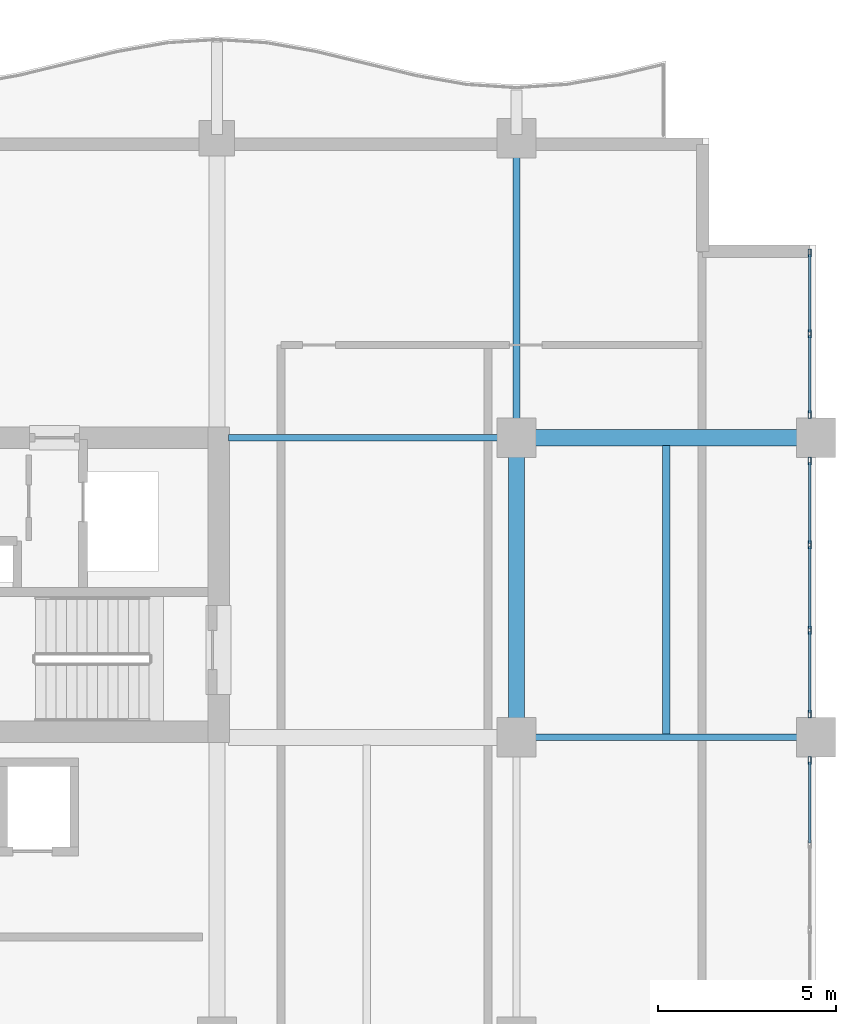
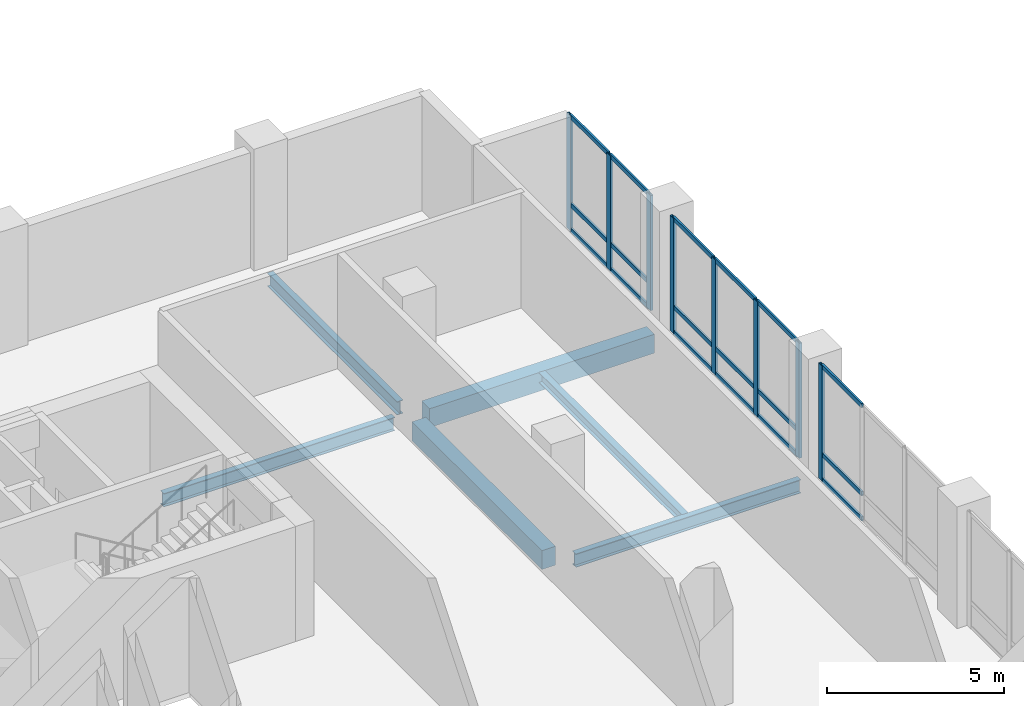
# One storey, part 4 of 22: 26 members, 6 beams, 3 elements without a shape of their own.
"""IFC4 building model written with IfcOpenShell, lengths in metres."""

from ifc_helpers import new_model, si_unit, direction, frame, origin, origin_2d, place, context, subcontext, project, spatial, rectangle, hollow_rectangle, i_section, extrude, material, layer, layer_set, material_profile, profile_set, type_object, element, aggregate, save


model = new_model("IFC4")

# Units and contexts
model_context = context("Model", 3, precision=1e-05, world=origin(), true_north=direction((0.0, 1.0)))
body_context = subcontext(model_context, "Body", "Model", "MODEL_VIEW")
ifc_project = project(units=[si_unit("LENGTHUNIT", "METRE"), si_unit("AREAUNIT", "SQUARE_METRE"), si_unit("VOLUMEUNIT", "CUBIC_METRE"), si_unit("PLANEANGLEUNIT", "RADIAN"), si_unit("MASSUNIT", "GRAM", prefix="KILO")], contexts=[model_context])

# Site, building, storey
site_placement = place(None, origin())
site = spatial("IfcSite", under=ifc_project, at=site_placement, CompositionType="ELEMENT")
building_placement = place(site_placement, origin())
building = spatial("IfcBuilding", under=site, at=building_placement, Name="Koriwani Terraces Tower", CompositionType="ELEMENT")
storey_placement = place(building_placement, frame((0.0, 0.0, 219.800048828125)))
storey = spatial("IfcBuildingStorey", under=building, at=storey_placement, Name="L54", CompositionType="ELEMENT", Elevation=219.800048828125)

# Beams
ifc_material_1 = material(Name="Concrete C50/60", Category="concrete")
ifc_material_profile_1 = material_profile(ifc_material_1, rectangle(XDim=0.449951171875, YDim=0.64990234375, at=origin_2d()), Name="Concrete C50/60", Category="LoadBearing")
ifc_profile_set_1 = profile_set([ifc_material_profile_1], Name="Concrete C50/60")
beam_type_1 = type_object("IfcBeamType", Name="BEAM_RC_GRID_450X650", PredefinedType="BEAM", material=ifc_profile_set_1)
beam_1_placement = place(storey_placement, frame((67.72998046875, 25.199951171875, -0.554931640625), z_axis=(1.0, 0.0, 0.0), x_axis=(0.0, 1.0, 0.0)))
element("IfcBeam", 1, at=beam_1_placement, inside=storey, type_object=beam_type_1, Name="L54 Grid Beam D (67.2-75.6m)", PredefinedType="BEAM", context=body_context, shape_type="SweptSolid", body=[
    extrude(rectangle(XDim=0.449951171875, YDim=0.64990234375, at=origin_2d()), origin(), (0.0, 0.0, 1.0), 7.340087890625),
])
beam_2_placement = place(storey_placement, frame((67.199951171875, 17.330078125, -0.554931640625), z_axis=(0.0, 1.0, 0.0), x_axis=(-1.0, 0.0, 0.0)))
element("IfcBeam", 2, at=beam_2_placement, inside=storey, type_object=beam_type_1, Name="L54 Grid Beam 9 (16.8-25.2m)", PredefinedType="BEAM", context=body_context, shape_type="SweptSolid", body=[
    extrude(rectangle(XDim=0.449951171875, YDim=0.64990234375, at=origin_2d()), origin(), (0.0, 0.0, 1.0), 7.33984375),
])

# Curtain wall, members
ifc_material_2 = material(Name="Anodised Bronze Aluminium", Category="aluminium")
ifc_layer = layer(ifc_material_2, 0.219970703125, Name="Anodised Bronze Aluminium")
ifc_layer_set = layer_set([ifc_layer], Name="Anodised Bronze Aluminium")
curtain_wall_type = type_object("IfcCurtainWallType", Name="CW_SKY_LOUNGE", PredefinedType="NOTDEFINED", material=ifc_layer_set)
curtain_wall_1_placement = place(storey_placement, origin())
curtain_wall_1 = element("IfcCurtainWall", 3, at=curtain_wall_1_placement, inside=storey, type_object=curtain_wall_type, Name="L54 Unitised Curtain Wall (E_TIP) Bay 1", PredefinedType="NOTDEFINED")
ifc_material_profile_2 = material_profile(ifc_material_2, hollow_rectangle(XDim=0.0849609375, YDim=0.219970703125, WallThickness=0.008056640625, at=origin_2d()), Name="Anodised Bronze Aluminium", Category="LoadBearing")
ifc_profile_set_2 = profile_set([ifc_material_profile_2], Name="Anodised Bronze Aluminium")
member_type_1 = type_object("IfcMemberType", Name="CW_MULLION_220X85", PredefinedType="MULLION", material=ifc_profile_set_2)
member_1_placement = place(storey_placement, frame((75.425048828125, 30.382568359375, 0.0), z_axis=(0.0, 0.0, 1.0), x_axis=(1.0, 0.0, 0.0)))
member_1 = element("IfcMember", 4, at=member_1_placement, type_object=member_type_1, Name="CW-SKY mullion 1", PredefinedType="MULLION", context=body_context, shape_type="SweptSolid", body=[
    extrude(hollow_rectangle(XDim=0.0849609375, YDim=0.219970703125, WallThickness=0.008056640625, at=origin_2d()), origin(), (0.0, 0.0, 1.0), 3.969970703125),
])
member_2_placement = place(storey_placement, frame((75.425048828125, 28.117431640625, 0.0), z_axis=(0.0, 0.0, 1.0), x_axis=(1.0, 0.0, 0.0)))
member_2 = element("IfcMember", 5, at=member_2_placement, type_object=member_type_1, Name="CW-SKY mullion 2", PredefinedType="MULLION", context=body_context, shape_type="SweptSolid", body=[
    extrude(hollow_rectangle(XDim=0.0849609375, YDim=0.219970703125, WallThickness=0.008056640625, at=origin_2d()), origin(), (0.0, 0.0, 1.0), 3.969970703125),
])
member_3_placement = place(storey_placement, frame((75.425048828125, 25.8525390625, 0.0), z_axis=(0.0, 0.0, 1.0), x_axis=(1.0, 0.0, 0.0)))
member_3 = element("IfcMember", 6, at=member_3_placement, type_object=member_type_1, Name="CW-SKY mullion 3", PredefinedType="MULLION", context=body_context, shape_type="SweptSolid", body=[
    extrude(hollow_rectangle(XDim=0.0849609375, YDim=0.219970703125, WallThickness=0.008056640625, at=origin_2d()), origin(), (0.0, 0.0, 1.0), 3.969970703125),
])

curtain_wall_2_placement = place(storey_placement, origin())
curtain_wall_2 = element("IfcCurtainWall", 7, at=curtain_wall_2_placement, inside=storey, type_object=curtain_wall_type, Name="L54 Unitised Curtain Wall (E_TIP) Bay 2", PredefinedType="NOTDEFINED")
member_4_placement = place(storey_placement, frame((75.425048828125, 24.547607421875, 0.0), z_axis=(0.0, 0.0, 1.0), x_axis=(1.0, 0.0, 0.0)))
member_4 = element("IfcMember", 8, at=member_4_placement, type_object=member_type_1, Name="CW-SKY mullion 1", PredefinedType="MULLION", context=body_context, shape_type="SweptSolid", body=[
    extrude(hollow_rectangle(XDim=0.0849609375, YDim=0.219970703125, WallThickness=0.008056640625, at=origin_2d()), origin(), (0.0, 0.0, 1.0), 3.969970703125),
])
member_5_placement = place(storey_placement, frame((75.425048828125, 22.19677734375, 0.0), z_axis=(0.0, 0.0, 1.0), x_axis=(1.0, 0.0, 0.0)))
member_5 = element("IfcMember", 9, at=member_5_placement, type_object=member_type_1, Name="CW-SKY mullion 2", PredefinedType="MULLION", context=body_context, shape_type="SweptSolid", body=[
    extrude(hollow_rectangle(XDim=0.0849609375, YDim=0.219970703125, WallThickness=0.008056640625, at=origin_2d()), origin(), (0.0, 0.0, 1.0), 3.969970703125),
])
member_6_placement = place(storey_placement, frame((75.425048828125, 19.80322265625, 0.0), z_axis=(0.0, 0.0, 1.0), x_axis=(1.0, 0.0, 0.0)))
member_6 = element("IfcMember", 10, at=member_6_placement, type_object=member_type_1, Name="CW-SKY mullion 3", PredefinedType="MULLION", context=body_context, shape_type="SweptSolid", body=[
    extrude(hollow_rectangle(XDim=0.0849609375, YDim=0.219970703125, WallThickness=0.008056640625, at=origin_2d()), origin(), (0.0, 0.0, 1.0), 3.969970703125),
])
member_7_placement = place(storey_placement, frame((75.425048828125, 17.452392578125, 0.0), z_axis=(0.0, 0.0, 1.0), x_axis=(1.0, 0.0, 0.0)))
member_7 = element("IfcMember", 11, at=member_7_placement, type_object=member_type_1, Name="CW-SKY mullion 4", PredefinedType="MULLION", context=body_context, shape_type="SweptSolid", body=[
    extrude(hollow_rectangle(XDim=0.0849609375, YDim=0.219970703125, WallThickness=0.008056640625, at=origin_2d()), origin(), (0.0, 0.0, 1.0), 3.969970703125),
])

# Curtain wall, member
curtain_wall_3_placement = place(storey_placement, origin())
curtain_wall_3 = element("IfcCurtainWall", 12, at=curtain_wall_3_placement, inside=storey, type_object=curtain_wall_type, Name="L54 Unitised Curtain Wall (E_TIP) Bay 3", PredefinedType="NOTDEFINED")
member_8_placement = place(storey_placement, frame((75.425048828125, 16.1474609375, 0.0), z_axis=(0.0, 0.0, 1.0), x_axis=(1.0, 0.0, 0.0)))
member_8 = element("IfcMember", 13, at=member_8_placement, type_object=member_type_1, Name="CW-SKY mullion 1", PredefinedType="MULLION", context=body_context, shape_type="SweptSolid", body=[
    extrude(hollow_rectangle(XDim=0.0849609375, YDim=0.219970703125, WallThickness=0.008056640625, at=origin_2d()), origin(), (0.0, 0.0, 1.0), 3.969970703125),
])

# Member
ifc_material_profile_3 = material_profile(ifc_material_2, hollow_rectangle(XDim=0.06494140625, YDim=0.14990234375, WallThickness=0.0048828125, at=origin_2d()), Name="Anodised Bronze Aluminium", Category="LoadBearing")
ifc_profile_set_3 = profile_set([ifc_material_profile_3], Name="Anodised Bronze Aluminium")
member_type_2 = type_object("IfcMemberType", Name="CW_TRANSOM_150X65", PredefinedType="USERDEFINED", material=ifc_profile_set_3)
member_9_placement = place(storey_placement, frame((75.425048828125, 30.340087890625, 0.032470703125), z_axis=(0.0, -1.0, 0.0), x_axis=(1.0, 0.0, 0.0)))
member_9 = element("IfcMember", 14, at=member_9_placement, type_object=member_type_2, Name="CW-SKY transom 1.1", ObjectType="TRANSOM", PredefinedType="USERDEFINED", context=body_context, shape_type="SweptSolid", body=[
    extrude(hollow_rectangle(XDim=0.06494140625, YDim=0.14990234375, WallThickness=0.0048828125, at=origin_2d()), origin(), (0.0, 0.0, 1.0), 2.18017578125),
])

member_10_placement = place(storey_placement, frame((75.425048828125, 30.340087890625, 0.89990234375), z_axis=(0.0, -1.0, 0.0), x_axis=(1.0, 0.0, 0.0)))
member_10 = element("IfcMember", 15, at=member_10_placement, type_object=member_type_2, Name="CW-SKY transom 1.2", ObjectType="TRANSOM", PredefinedType="USERDEFINED", context=body_context, shape_type="SweptSolid", body=[
    extrude(hollow_rectangle(XDim=0.06494140625, YDim=0.14990234375, WallThickness=0.0048828125, at=origin_2d()), origin(), (0.0, 0.0, 1.0), 2.18017578125),
])

member_11_placement = place(storey_placement, frame((75.425048828125, 30.340087890625, 3.9375), z_axis=(0.0, -1.0, 0.0), x_axis=(1.0, 0.0, 0.0)))
member_11 = element("IfcMember", 16, at=member_11_placement, type_object=member_type_2, Name="CW-SKY transom 1.3", ObjectType="TRANSOM", PredefinedType="USERDEFINED", context=body_context, shape_type="SweptSolid", body=[
    extrude(hollow_rectangle(XDim=0.06494140625, YDim=0.14990234375, WallThickness=0.0048828125, at=origin_2d()), origin(), (0.0, 0.0, 1.0), 2.18017578125),
])

member_12_placement = place(storey_placement, frame((75.425048828125, 28.074951171875, 0.032470703125), z_axis=(0.0, -1.0, 0.0), x_axis=(1.0, 0.0, 0.0)))
member_12 = element("IfcMember", 17, at=member_12_placement, type_object=member_type_2, Name="CW-SKY transom 2.1", ObjectType="TRANSOM", PredefinedType="USERDEFINED", context=body_context, shape_type="SweptSolid", body=[
    extrude(hollow_rectangle(XDim=0.06494140625, YDim=0.14990234375, WallThickness=0.0048828125, at=origin_2d()), origin(), (0.0, 0.0, 1.0), 2.179931640625),
])

member_13_placement = place(storey_placement, frame((75.425048828125, 28.074951171875, 0.89990234375), z_axis=(0.0, -1.0, 0.0), x_axis=(1.0, 0.0, 0.0)))
member_13 = element("IfcMember", 18, at=member_13_placement, type_object=member_type_2, Name="CW-SKY transom 2.2", ObjectType="TRANSOM", PredefinedType="USERDEFINED", context=body_context, shape_type="SweptSolid", body=[
    extrude(hollow_rectangle(XDim=0.06494140625, YDim=0.14990234375, WallThickness=0.0048828125, at=origin_2d()), origin(), (0.0, 0.0, 1.0), 2.179931640625),
])

member_14_placement = place(storey_placement, frame((75.425048828125, 28.074951171875, 3.9375), z_axis=(0.0, -1.0, 0.0), x_axis=(1.0, 0.0, 0.0)))
member_14 = element("IfcMember", 19, at=member_14_placement, type_object=member_type_2, Name="CW-SKY transom 2.3", ObjectType="TRANSOM", PredefinedType="USERDEFINED", context=body_context, shape_type="SweptSolid", body=[
    extrude(hollow_rectangle(XDim=0.06494140625, YDim=0.14990234375, WallThickness=0.0048828125, at=origin_2d()), origin(), (0.0, 0.0, 1.0), 2.179931640625),
])

aggregate(curtain_wall_1, [member_1, member_2, member_3, member_9, member_10, member_11, member_12, member_13, member_14])

member_15_placement = place(storey_placement, frame((75.425048828125, 24.5048828125, 0.032470703125), z_axis=(0.0, -1.0, 0.0), x_axis=(1.0, 0.0, 0.0)))
member_15 = element("IfcMember", 20, at=member_15_placement, type_object=member_type_2, Name="CW-SKY transom 1.1", ObjectType="TRANSOM", PredefinedType="USERDEFINED", context=body_context, shape_type="SweptSolid", body=[
    extrude(hollow_rectangle(XDim=0.06494140625, YDim=0.14990234375, WallThickness=0.0048828125, at=origin_2d()), origin(), (0.0, 0.0, 1.0), 2.265625),
])

member_16_placement = place(storey_placement, frame((75.425048828125, 24.5048828125, 0.89990234375), z_axis=(0.0, -1.0, 0.0), x_axis=(1.0, 0.0, 0.0)))
member_16 = element("IfcMember", 21, at=member_16_placement, type_object=member_type_2, Name="CW-SKY transom 1.2", ObjectType="TRANSOM", PredefinedType="USERDEFINED", context=body_context, shape_type="SweptSolid", body=[
    extrude(hollow_rectangle(XDim=0.06494140625, YDim=0.14990234375, WallThickness=0.0048828125, at=origin_2d()), origin(), (0.0, 0.0, 1.0), 2.265625),
])

member_17_placement = place(storey_placement, frame((75.425048828125, 24.5048828125, 3.9375), z_axis=(0.0, -1.0, 0.0), x_axis=(1.0, 0.0, 0.0)))
member_17 = element("IfcMember", 22, at=member_17_placement, type_object=member_type_2, Name="CW-SKY transom 1.3", ObjectType="TRANSOM", PredefinedType="USERDEFINED", context=body_context, shape_type="SweptSolid", body=[
    extrude(hollow_rectangle(XDim=0.06494140625, YDim=0.14990234375, WallThickness=0.0048828125, at=origin_2d()), origin(), (0.0, 0.0, 1.0), 2.265625),
])

member_18_placement = place(storey_placement, frame((75.425048828125, 22.154052734375, 0.032470703125), z_axis=(0.0, -1.0, 0.0), x_axis=(1.0, 0.0, 0.0)))
member_18 = element("IfcMember", 23, at=member_18_placement, type_object=member_type_2, Name="CW-SKY transom 2.1", ObjectType="TRANSOM", PredefinedType="USERDEFINED", context=body_context, shape_type="SweptSolid", body=[
    extrude(hollow_rectangle(XDim=0.06494140625, YDim=0.14990234375, WallThickness=0.0048828125, at=origin_2d()), origin(), (0.0, 0.0, 1.0), 2.30810546875),
])

member_19_placement = place(storey_placement, frame((75.425048828125, 22.154052734375, 0.89990234375), z_axis=(0.0, -1.0, 0.0), x_axis=(1.0, 0.0, 0.0)))
member_19 = element("IfcMember", 24, at=member_19_placement, type_object=member_type_2, Name="CW-SKY transom 2.2", ObjectType="TRANSOM", PredefinedType="USERDEFINED", context=body_context, shape_type="SweptSolid", body=[
    extrude(hollow_rectangle(XDim=0.06494140625, YDim=0.14990234375, WallThickness=0.0048828125, at=origin_2d()), origin(), (0.0, 0.0, 1.0), 2.30810546875),
])

member_20_placement = place(storey_placement, frame((75.425048828125, 22.154052734375, 3.9375), z_axis=(0.0, -1.0, 0.0), x_axis=(1.0, 0.0, 0.0)))
member_20 = element("IfcMember", 25, at=member_20_placement, type_object=member_type_2, Name="CW-SKY transom 2.3", ObjectType="TRANSOM", PredefinedType="USERDEFINED", context=body_context, shape_type="SweptSolid", body=[
    extrude(hollow_rectangle(XDim=0.06494140625, YDim=0.14990234375, WallThickness=0.0048828125, at=origin_2d()), origin(), (0.0, 0.0, 1.0), 2.30810546875),
])

member_21_placement = place(storey_placement, frame((75.425048828125, 19.7607421875, 0.032470703125), z_axis=(0.0, -1.0, 0.0), x_axis=(1.0, 0.0, 0.0)))
member_21 = element("IfcMember", 26, at=member_21_placement, type_object=member_type_2, Name="CW-SKY transom 3.1", ObjectType="TRANSOM", PredefinedType="USERDEFINED", context=body_context, shape_type="SweptSolid", body=[
    extrude(hollow_rectangle(XDim=0.06494140625, YDim=0.14990234375, WallThickness=0.0048828125, at=origin_2d()), origin(), (0.0, 0.0, 1.0), 2.265625),
])

member_22_placement = place(storey_placement, frame((75.425048828125, 19.7607421875, 0.89990234375), z_axis=(0.0, -1.0, 0.0), x_axis=(1.0, 0.0, 0.0)))
member_22 = element("IfcMember", 27, at=member_22_placement, type_object=member_type_2, Name="CW-SKY transom 3.2", ObjectType="TRANSOM", PredefinedType="USERDEFINED", context=body_context, shape_type="SweptSolid", body=[
    extrude(hollow_rectangle(XDim=0.06494140625, YDim=0.14990234375, WallThickness=0.0048828125, at=origin_2d()), origin(), (0.0, 0.0, 1.0), 2.265625),
])

member_23_placement = place(storey_placement, frame((75.425048828125, 19.7607421875, 3.9375), z_axis=(0.0, -1.0, 0.0), x_axis=(1.0, 0.0, 0.0)))
member_23 = element("IfcMember", 28, at=member_23_placement, type_object=member_type_2, Name="CW-SKY transom 3.3", ObjectType="TRANSOM", PredefinedType="USERDEFINED", context=body_context, shape_type="SweptSolid", body=[
    extrude(hollow_rectangle(XDim=0.06494140625, YDim=0.14990234375, WallThickness=0.0048828125, at=origin_2d()), origin(), (0.0, 0.0, 1.0), 2.265625),
])

aggregate(curtain_wall_2, [member_4, member_5, member_6, member_7, member_15, member_16, member_17, member_18, member_19, member_20, member_21, member_22, member_23])

member_24_placement = place(storey_placement, frame((75.425048828125, 16.10498046875, 0.032470703125), z_axis=(0.0, -1.0, 0.0), x_axis=(1.0, 0.0, 0.0)))
member_24 = element("IfcMember", 29, at=member_24_placement, type_object=member_type_2, Name="CW-SKY transom 1.1", ObjectType="TRANSOM", PredefinedType="USERDEFINED", context=body_context, shape_type="SweptSolid", body=[
    extrude(hollow_rectangle(XDim=0.06494140625, YDim=0.14990234375, WallThickness=0.0048828125, at=origin_2d()), origin(), (0.0, 0.0, 1.0), 2.265869140625),
])

member_25_placement = place(storey_placement, frame((75.425048828125, 16.10498046875, 0.89990234375), z_axis=(0.0, -1.0, 0.0), x_axis=(1.0, 0.0, 0.0)))
member_25 = element("IfcMember", 30, at=member_25_placement, type_object=member_type_2, Name="CW-SKY transom 1.2", ObjectType="TRANSOM", PredefinedType="USERDEFINED", context=body_context, shape_type="SweptSolid", body=[
    extrude(hollow_rectangle(XDim=0.06494140625, YDim=0.14990234375, WallThickness=0.0048828125, at=origin_2d()), origin(), (0.0, 0.0, 1.0), 2.265869140625),
])

member_26_placement = place(storey_placement, frame((75.425048828125, 16.10498046875, 3.9375), z_axis=(0.0, -1.0, 0.0), x_axis=(1.0, 0.0, 0.0)))
member_26 = element("IfcMember", 31, at=member_26_placement, type_object=member_type_2, Name="CW-SKY transom 1.3", ObjectType="TRANSOM", PredefinedType="USERDEFINED", context=body_context, shape_type="SweptSolid", body=[
    extrude(hollow_rectangle(XDim=0.06494140625, YDim=0.14990234375, WallThickness=0.0048828125, at=origin_2d()), origin(), (0.0, 0.0, 1.0), 2.265869140625),
])

aggregate(curtain_wall_3, [member_8, member_24, member_25, member_26])

# Beams
ifc_material_3 = material(Name="Steel ASTM A572 Grade 50", Category="steel")
ifc_material_profile_4 = material_profile(ifc_material_3, i_section(OverallWidth=0.205078125, OverallDepth=0.35400390625, WebThickness=0.009521484375, FlangeThickness=0.016845703125, at=origin_2d()), Name="Steel ASTM A572 Grade 50", Category="LoadBearing")
ifc_profile_set_4 = profile_set([ifc_material_profile_4], Name="Steel ASTM A572 Grade 50")
beam_type_2 = type_object("IfcBeamType", Name="STEEL_BEAM_W360X79", PredefinedType="JOIST", material=ifc_profile_set_4)
beam_3_placement = place(storey_placement, frame((71.39990234375, 16.886474609375, -0.406982421875), z_axis=(0.0, 1.0, 0.0), x_axis=(-1.0, 0.0, 0.0)))
element("IfcBeam", 32, at=beam_3_placement, inside=storey, type_object=beam_type_2, Name="L54 Secondary Steel Floor Joist X=71.4m", PredefinedType="JOIST", context=body_context, shape_type="SweptSolid", body=[
    extrude(i_section(OverallWidth=0.205078125, OverallDepth=0.35400390625, WebThickness=0.009521484375, FlangeThickness=0.016845703125, at=origin_2d()), origin(), (0.0, 0.0, 1.0), 8.0986328125),
])
ifc_material_profile_5 = material_profile(ifc_material_3, i_section(OverallWidth=0.193115234375, OverallDepth=0.462890625, WebThickness=0.0107421875, FlangeThickness=0.017333984375, at=origin_2d()), Name="Steel ASTM A572 Grade 50", Category="LoadBearing")
ifc_profile_set_5 = profile_set([ifc_material_profile_5], Name="Steel ASTM A572 Grade 50")
beam_type_3 = type_object("IfcBeamType", Name="STEEL_BEAM_W460X113", PredefinedType="BEAM", material=ifc_profile_set_5)
beam_4_placement = place(storey_placement, frame((67.72998046875, 16.800048828125, -0.461669921875), z_axis=(1.0, 0.0, 0.0), x_axis=(0.0, 1.0, 0.0)))
element("IfcBeam", 33, at=beam_4_placement, inside=storey, type_object=beam_type_3, Name="L54 Grid Beam C (67.2-75.6m)", PredefinedType="BEAM", context=body_context, shape_type="SweptSolid", body=[
    extrude(i_section(OverallWidth=0.193115234375, OverallDepth=0.462890625, WebThickness=0.0107421875, FlangeThickness=0.017333984375, at=origin_2d()), origin(), (0.0, 0.0, 1.0), 7.340087890625),
])
beam_5_placement = place(storey_placement, frame((59.1298828125, 25.199951171875, -0.461669921875), z_axis=(1.0, 0.0, 0.0), x_axis=(0.0, 1.0, 0.0)))
element("IfcBeam", 34, at=beam_5_placement, inside=storey, type_object=beam_type_3, Name="L54 Grid Beam D (58.8-67.2m)", PredefinedType="BEAM", context=body_context, shape_type="SweptSolid", body=[
    extrude(i_section(OverallWidth=0.193115234375, OverallDepth=0.462890625, WebThickness=0.0107421875, FlangeThickness=0.017333984375, at=origin_2d()), origin(), (0.0, 0.0, 1.0), 7.5400390625),
])
beam_6_placement = place(storey_placement, frame((67.199951171875, 25.72998046875, -0.461669921875), z_axis=(0.0, 1.0, 0.0), x_axis=(-1.0, 0.0, 0.0)))
element("IfcBeam", 35, at=beam_6_placement, inside=storey, type_object=beam_type_3, Name="L54 Grid Beam 9 (25.2-33.6m)", PredefinedType="BEAM", context=body_context, shape_type="SweptSolid", body=[
    extrude(i_section(OverallWidth=0.193115234375, OverallDepth=0.462890625, WebThickness=0.0107421875, FlangeThickness=0.017333984375, at=origin_2d()), origin(), (0.0, 0.0, 1.0), 7.340087890625),
])

save(model, "model.ifc")
